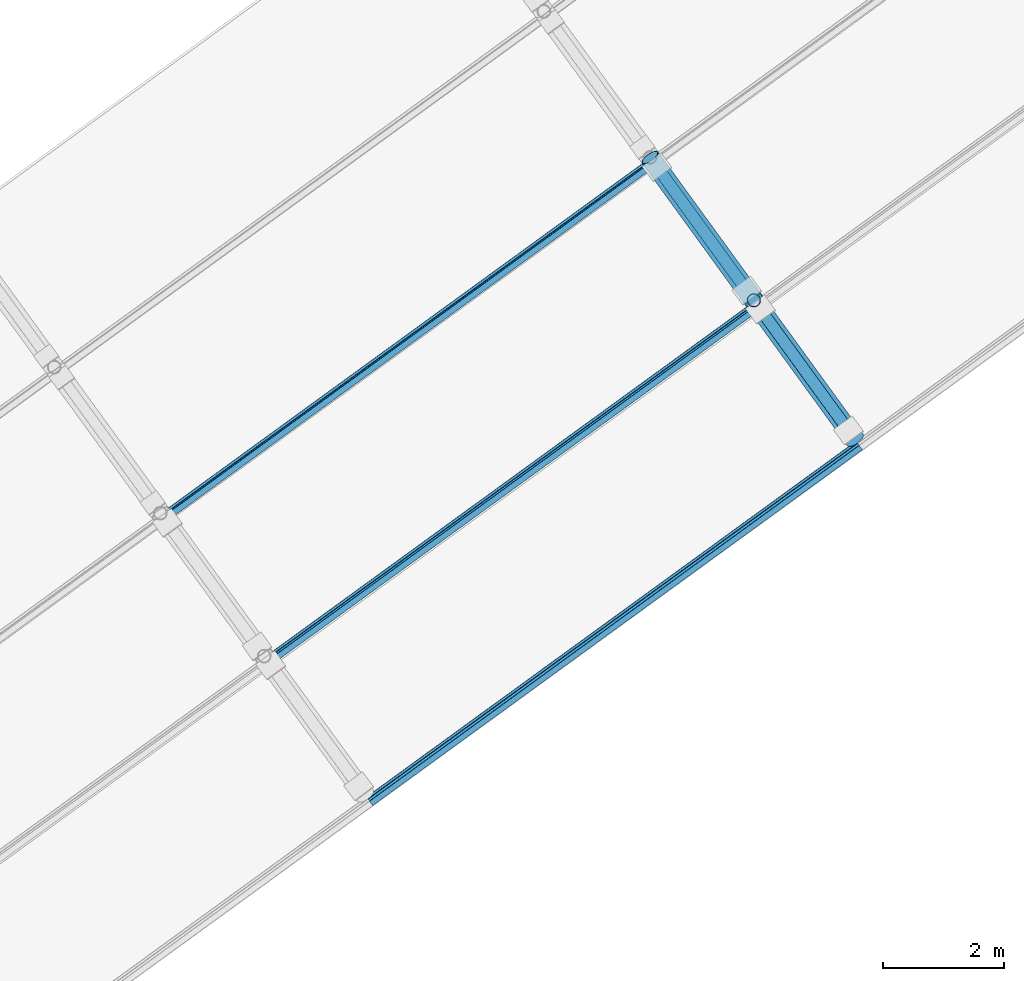
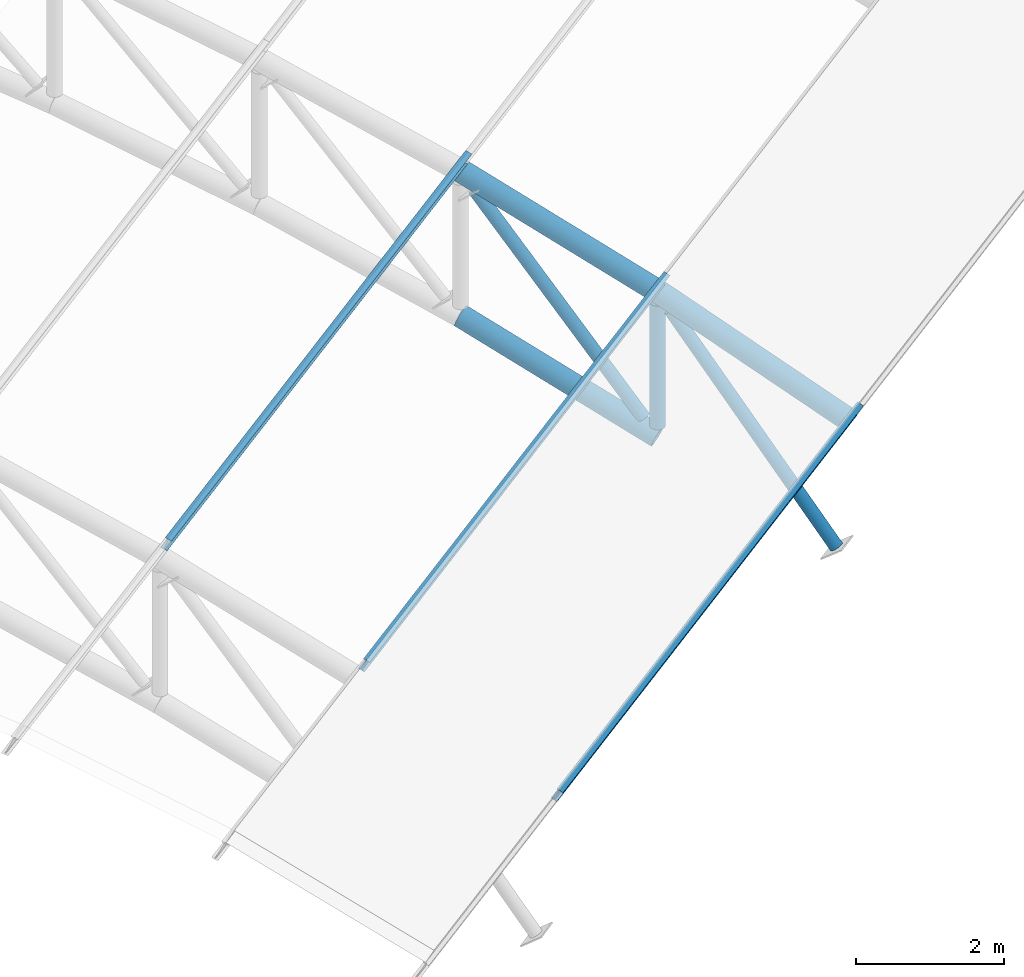
# One storey, part 20 of 69: 6 members, 3 beams.
"""IFC4 building model written with IfcOpenShell, lengths in metres."""

from ifc_helpers import new_model, si_unit, direction, frame, origin, origin_2d, place, context, subcontext, project, spatial, hollow_circle, i_section, extrude, material, material_profile, profile_set, type_object, element, save


model = new_model("IFC4")

# Units and contexts
model_context = context("Model", 3, precision=1e-05, world=origin(), true_north=direction((0.0, 1.0)))
body_context = subcontext(model_context, "Body", "Model", "MODEL_VIEW")
ifc_project = project(units=[si_unit("LENGTHUNIT", "METRE"), si_unit("AREAUNIT", "SQUARE_METRE"), si_unit("VOLUMEUNIT", "CUBIC_METRE"), si_unit("PLANEANGLEUNIT", "RADIAN"), si_unit("MASSUNIT", "GRAM", prefix="KILO")], contexts=[model_context])

# Site, building, storey
site_placement = place(None, origin())
site = spatial("IfcSite", under=ifc_project, at=site_placement, CompositionType="ELEMENT")
building_placement = place(site_placement, origin())
building = spatial("IfcBuilding", under=site, at=building_placement, Name="Okhra Congress Centre", CompositionType="ELEMENT")
storey_placement = place(building_placement, frame((0.0, 0.0, 16.800048828125)))
storey = spatial("IfcBuildingStorey", under=building, at=storey_placement, Name="L03", CompositionType="ELEMENT", Elevation=16.800048828125)

# Members
ifc_material_1 = material(Name="Steel S355J2H", Category="steel")
ifc_material_profile_1 = material_profile(ifc_material_1, hollow_circle(Radius=0.096923828125, WallThickness=0.010009765625, at=origin_2d()), Name="CHS 193.7x10")
ifc_profile_set_1 = profile_set([ifc_material_profile_1], Name="Steel S355J2H")
member_type_1 = type_object("IfcMemberType", Name="CHS 193.7x10", PredefinedType="BRACE", material=ifc_profile_set_1)
member_1_placement = place(storey_placement, frame((260.432373046875, 182.013671875, -1.60595703125), z_axis=(-0.356796884209, 0.491009860406, 0.794735994153), x_axis=(-0.808972068944, -0.587847081874, 0.0)))
element("IfcMember", 1, at=member_1_placement, inside=storey, type_object=member_type_1, Name="Truss 5 diagonal 2", PredefinedType="BRACE", context=body_context, shape_type="SweptSolid", body=[
    extrude(hollow_circle(Radius=0.096923828125, WallThickness=0.010009765625, at=origin_2d()), origin(), (0.0, 0.0, 1.0), 4.052734375),
])
member_2_placement = place(storey_placement, frame((258.751708984375, 184.32666015625, -0.28076171875), z_axis=(-0.372698991022, 0.51302445178, 0.773240825336), x_axis=(-0.809043308787, -0.587749031907, 0.0)))
element("IfcMember", 2, at=member_2_placement, inside=storey, type_object=member_type_1, Name="Truss 5 diagonal 3", PredefinedType="BRACE", context=body_context, shape_type="SweptSolid", body=[
    extrude(hollow_circle(Radius=0.096923828125, WallThickness=0.010009765625, at=origin_2d()), origin(), (0.0, 0.0, 1.0), 3.95458984375),
])
ifc_material_profile_2 = material_profile(ifc_material_1, hollow_circle(Radius=0.109619140625, WallThickness=0.008056640625, at=origin_2d()), Name="CHS 219.1x8")
ifc_profile_set_2 = profile_set([ifc_material_profile_2], Name="Steel S355J2H")
member_type_2 = type_object("IfcMemberType", Name="CHS 219.1x8", PredefinedType="POST", material=ifc_profile_set_2)
member_3_placement = place(storey_placement, frame((258.872802734375, 184.16015625, -0.353271484375), z_axis=(0.0, 0.0, 1.0), x_axis=(1.0, 0.0, 0.0)))
element("IfcMember", 3, at=member_3_placement, inside=storey, type_object=member_type_2, Name="Truss 5 post 2", PredefinedType="POST", context=body_context, shape_type="SweptSolid", body=[
    extrude(hollow_circle(Radius=0.109619140625, WallThickness=0.008056640625, at=origin_2d()), origin(), (0.0, 0.0, 1.0), 2.043212890625),
])
ifc_material_profile_3 = material_profile(ifc_material_1, hollow_circle(Radius=0.161865234375, WallThickness=0.012451171875, at=origin_2d()), Name="CHS 323.9x12.5")
ifc_profile_set_3 = profile_set([ifc_material_profile_3], Name="Steel S355J2H")
member_type_3 = type_object("IfcMemberType", Name="CHS 323.9x12.5", PredefinedType="CHORD", material=ifc_profile_set_3)
member_4_placement = place(storey_placement, frame((260.546142578125, 181.857177734375, 0.540771484375), z_axis=(-0.532744724434, 0.733204112283, 0.422604766085), x_axis=(-0.808995610274, -0.587814683856, 0.0)))
element("IfcMember", 4, at=member_4_placement, inside=storey, type_object=member_type_3, Name="Truss 5 top chord 2", PredefinedType="CHORD", context=body_context, shape_type="SweptSolid", body=[
    extrude(hollow_circle(Radius=0.161865234375, WallThickness=0.012451171875, at=origin_2d()), origin(), (0.0, 0.0, 1.0), 3.140869140625),
])
for number, where, z_axis, x_axis, name in (
    (5, (258.872802734375, 184.16015625, -0.53173828125), (-0.54628790254, 0.751855053233, 0.369165960601), (-0.80899999046, -0.587808655462, 0.0), "Truss 5 bottom chord 3"),
    (6, (258.872802734375, 184.16015625, 1.8681640625), (-0.546272227874, 0.751833480218, 0.369233085024), (-0.80899999046, -0.587808655462, 0.0), "Truss 5 top chord 3"),
):
    element("IfcMember", number, at=place(storey_placement, frame(where, z_axis=z_axis, x_axis=x_axis)), inside=storey, type_object=member_type_3, Name=name, PredefinedType="CHORD", context=body_context, shape_type="SweptSolid", body=[
        extrude(hollow_circle(Radius=0.161865234375, WallThickness=0.012451171875, at=origin_2d()), origin(), (0.0, 0.0, 1.0), 3.141357421875),
    ])

# Beams
ifc_material_2 = material(Name="Steel S355J2", Category="steel")
ifc_material_profile_4 = material_profile(ifc_material_2, i_section(OverallWidth=0.10009765625, OverallDepth=0.199951171875, WebThickness=0.005615234375, FlangeThickness=0.008544921875, FilletRadius=0.011962890625, at=origin_2d()), Name="IPE 200")
ifc_profile_set_4 = profile_set([ifc_material_profile_4], Name="Steel S355J2")
beam_type = type_object("IfcBeamType", Name="IPE 200", PredefinedType="BEAM", material=ifc_profile_set_4)
beam_1_placement = place(storey_placement, frame((252.524169921875, 175.88525390625, 0.772216796875), z_axis=(0.809010490052, 0.58779420462, 0.0), x_axis=(-0.52527208704, 0.722958180273, 0.448799180206)))
element("IfcBeam", 7, at=beam_1_placement, inside=storey, type_object=beam_type, Name="Purlin 2.10", PredefinedType="BEAM", context=body_context, shape_type="SweptSolid", body=[
    extrude(i_section(OverallWidth=0.10009765625, OverallDepth=0.199951171875, WebThickness=0.005615234375, FlangeThickness=0.008544921875, FilletRadius=0.011962890625, at=origin_2d()), origin(), (0.0, 0.0, 1.0), 10.0),
])
beam_2_placement = place(storey_placement, frame((250.8427734375, 178.199462890625, 2.10595703125), z_axis=(0.809018924928, 0.587782595105, 0.0), x_axis=(-0.53971144617, 0.742854207642, 0.396079766034)))
element("IfcBeam", 8, at=beam_2_placement, inside=storey, type_object=beam_type, Name="Purlin 3.16", PredefinedType="BEAM", context=body_context, shape_type="SweptSolid", body=[
    extrude(i_section(OverallWidth=0.10009765625, OverallDepth=0.199951171875, WebThickness=0.005615234375, FlangeThickness=0.008544921875, FilletRadius=0.011962890625, at=origin_2d()), origin(), (0.0, 0.0, 1.0), 10.000244140625),
])
beam_3_placement = place(storey_placement, frame((249.11865234375, 180.572509765625, 3.271240234375), z_axis=(0.809030534284, 0.587766615755, 0.0), x_axis=(-0.552319951569, 0.760240023057, 0.342020143326)))
element("IfcBeam", 9, at=beam_3_placement, inside=storey, type_object=beam_type, Name="Purlin 4.22", PredefinedType="BEAM", context=body_context, shape_type="SweptSolid", body=[
    extrude(i_section(OverallWidth=0.10009765625, OverallDepth=0.199951171875, WebThickness=0.005615234375, FlangeThickness=0.008544921875, FilletRadius=0.011962890625, at=origin_2d()), origin(), (0.0, 0.0, 1.0), 10.0),
])

save(model, "model.ifc")
